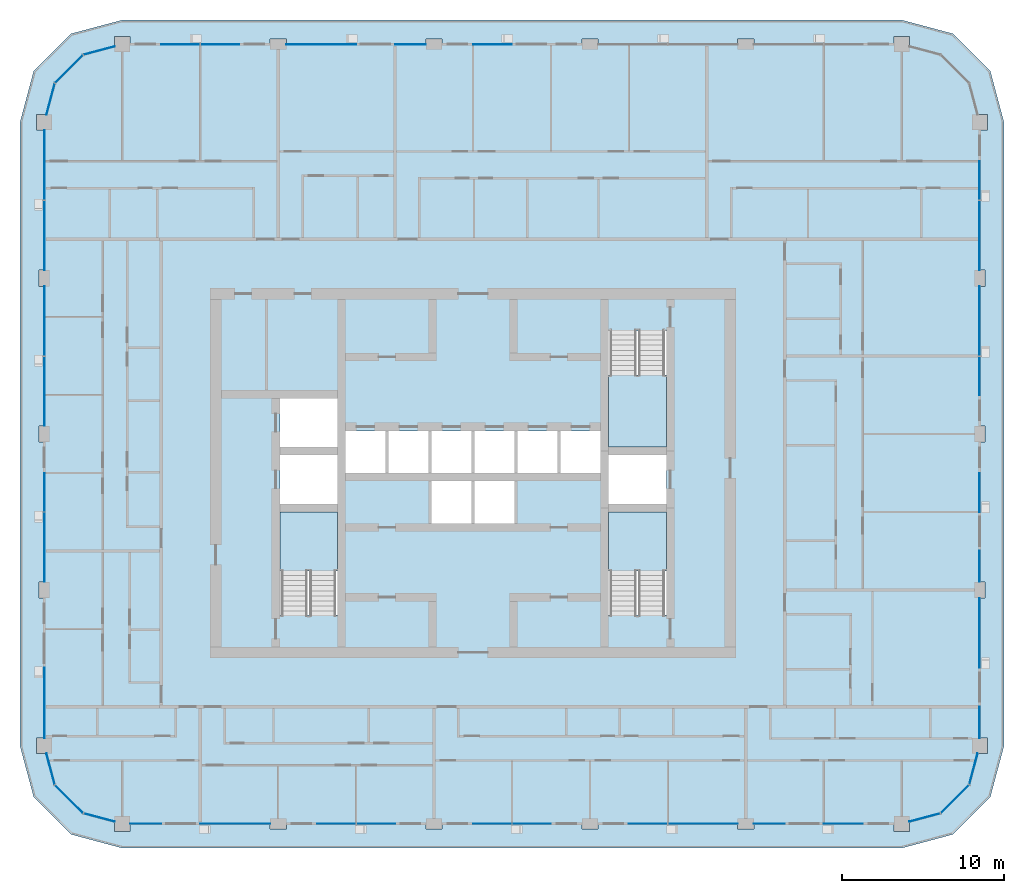
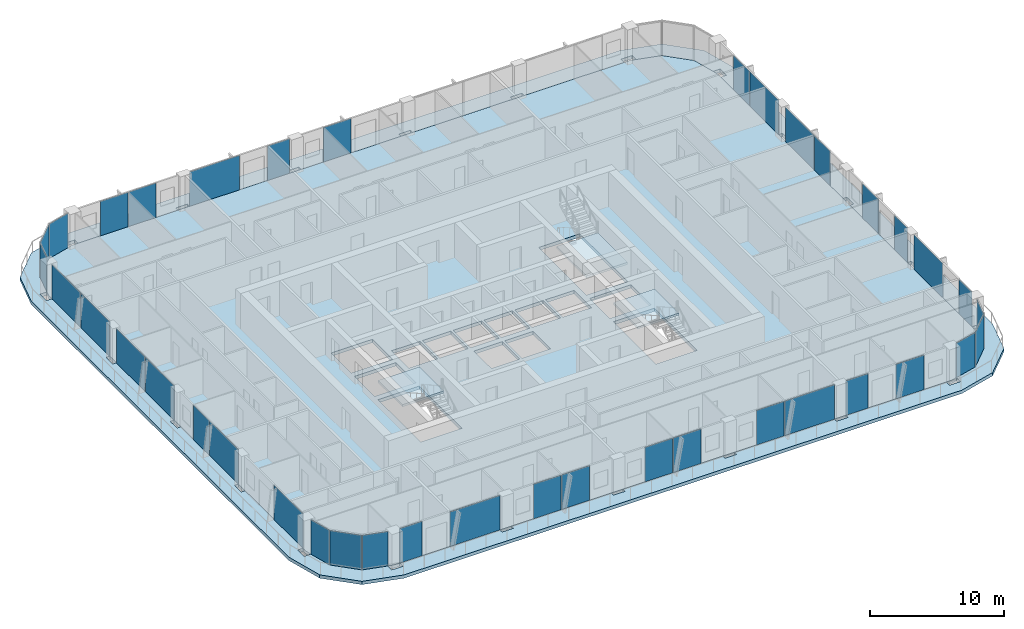
# One storey, part 7 of 23: 39 plates, 5 slabs, 22 elements without a shape of their own.
"""IFC4 building model written with IfcOpenShell, lengths in metres."""

from ifc_helpers import new_model, si_unit, direction, frame, origin, origin_2d, place, context, subcontext, project, spatial, polyline, rectangle, outline, extrude, material, layer, layer_set, type_object, element, aggregate, save


model = new_model("IFC4")

# Units and contexts
model_context = context("Model", 3, precision=1e-05, world=origin(), true_north=direction((0.0, 1.0)))
body_context = subcontext(model_context, "Body", "Model", "MODEL_VIEW")
ifc_project = project(units=[si_unit("LENGTHUNIT", "METRE"), si_unit("AREAUNIT", "SQUARE_METRE"), si_unit("VOLUMEUNIT", "CUBIC_METRE"), si_unit("PLANEANGLEUNIT", "RADIAN"), si_unit("MASSUNIT", "GRAM", prefix="KILO")], contexts=[model_context])

# Site, building, storey
site_placement = place(None, origin())
site = spatial("IfcSite", under=ifc_project, at=site_placement, CompositionType="ELEMENT")
building_placement = place(site_placement, origin())
building = spatial("IfcBuilding", under=site, at=building_placement, Name="Madar Terraces", CompositionType="ELEMENT")
storey_placement = place(building_placement, frame((0.0, 0.0, 219.300048828125)))
storey = spatial("IfcBuildingStorey", under=building, at=storey_placement, Name="L57", CompositionType="ELEMENT", Elevation=219.300048828125)

# Slabs
ifc_material_1 = material(Name="Concrete C50/60", Category="concrete")
ifc_layer_1 = layer(ifc_material_1, 0.300048828125)
ifc_layer_set_1 = layer_set([ifc_layer_1], Name="Balcony band 300")
slab_type_1 = type_object("IfcSlabType", Name="Balcony band 300", PredefinedType="FLOOR", material=ifc_layer_set_1)
slab_1_placement = place(storey_placement, frame((0.0, 0.0, -0.300048828125)))
element("IfcSlab", 1, at=slab_1_placement, inside=storey, type_object=slab_type_1, Name="Balcony band", PredefinedType="FLOOR", context=body_context, shape_type="SweptSolid", body=[
    extrude(outline(polyline([(9.60009765625, 3.300048828125), (6.449951171875, 4.14404296875), (4.14404296875, 6.449951171875), (3.300048828125, 9.60009765625), (3.300048828125, 48.0), (4.14404296875, 51.14990234375), (6.449951171875, 53.4560546875), (9.60009765625, 54.300048828125), (57.60009765625, 54.300048828125), (60.75, 53.4560546875), (63.055908203125, 51.14990234375), (63.89990234375, 48.0), (63.89990234375, 9.60009765625), (63.055908203125, 6.449951171875), (60.75, 4.14404296875), (57.60009765625, 3.300048828125), (9.60009765625, 3.300048828125)]), holes=[polyline([(10.074951171875, 4.324951171875), (10.074951171875, 4.800048828125), (18.699951171875, 4.800048828125), (18.699951171875, 4.47509765625), (19.699951171875, 4.47509765625), (19.699951171875, 4.800048828125), (28.300048828125, 4.800048828125), (28.300048828125, 4.47509765625), (29.300048828125, 4.47509765625), (29.300048828125, 4.800048828125), (37.89990234375, 4.800048828125), (37.89990234375, 4.47509765625), (38.89990234375, 4.47509765625), (38.89990234375, 4.800048828125), (47.5, 4.800048828125), (47.5, 4.47509765625), (48.5, 4.47509765625), (48.5, 4.800048828125), (57.125, 4.800048828125), (57.125, 4.324951171875), (58.074951171875, 4.324951171875), (58.074951171875, 4.92724609375), (60.0, 5.443115234375), (61.7568359375, 7.199951171875), (62.272705078125, 9.125), (62.875, 9.125), (62.875, 10.074951171875), (62.39990234375, 10.074951171875), (62.39990234375, 18.699951171875), (62.72509765625, 18.699951171875), (62.72509765625, 19.699951171875), (62.39990234375, 19.699951171875), (62.39990234375, 28.300048828125), (62.72509765625, 28.300048828125), (62.72509765625, 29.300048828125), (62.39990234375, 29.300048828125), (62.39990234375, 37.89990234375), (62.72509765625, 37.89990234375), (62.72509765625, 38.89990234375), (62.39990234375, 38.89990234375), (62.39990234375, 47.52490234375), (62.875, 47.52490234375), (62.875, 48.47509765625), (62.272705078125, 48.47509765625), (61.7568359375, 50.39990234375), (60.0, 52.156982421875), (58.074951171875, 52.672607421875), (58.074951171875, 53.27490234375), (57.125, 53.27490234375), (57.125, 52.800048828125), (48.5, 52.800048828125), (48.5, 53.125), (47.5, 53.125), (47.5, 52.800048828125), (38.89990234375, 52.800048828125), (38.89990234375, 53.125), (37.89990234375, 53.125), (37.89990234375, 52.800048828125), (29.300048828125, 52.800048828125), (29.300048828125, 53.125), (28.300048828125, 53.125), (28.300048828125, 52.800048828125), (19.699951171875, 52.800048828125), (19.699951171875, 53.125), (18.699951171875, 53.125), (18.699951171875, 52.800048828125), (10.074951171875, 52.800048828125), (10.074951171875, 53.27490234375), (9.125, 53.27490234375), (9.125, 52.672607421875), (7.199951171875, 52.156982421875), (5.443115234375, 50.39990234375), (4.92724609375, 48.47509765625), (4.324951171875, 48.47509765625), (4.324951171875, 47.52490234375), (4.800048828125, 47.52490234375), (4.800048828125, 38.89990234375), (4.47509765625, 38.89990234375), (4.47509765625, 37.89990234375), (4.800048828125, 37.89990234375), (4.800048828125, 29.300048828125), (4.47509765625, 29.300048828125), (4.47509765625, 28.300048828125), (4.800048828125, 28.300048828125), (4.800048828125, 19.699951171875), (4.47509765625, 19.699951171875), (4.47509765625, 18.699951171875), (4.800048828125, 18.699951171875), (4.800048828125, 10.074951171875), (4.324951171875, 10.074951171875), (4.324951171875, 9.125), (4.92724609375, 9.125), (5.443115234375, 7.199951171875), (7.199951171875, 5.443115234375), (9.125, 4.92724609375), (9.125, 4.324951171875), (10.074951171875, 4.324951171875)])]), origin(), (0.0, 0.0, 1.0), 0.300048828125),
])
ifc_material_2 = material(Name="Concrete C50/60", Category="concrete")
ifc_layer_2 = layer(ifc_material_2, 0.300048828125)
ifc_layer_set_2 = layer_set([ifc_layer_2], Name="FS2 PT flat slab 300")
slab_type_2 = type_object("IfcSlabType", Name="FS2 PT flat slab 300", PredefinedType="FLOOR", material=ifc_layer_set_2)
slab_2_placement = place(storey_placement, frame((0.0, 0.0, -0.300048828125)))
element("IfcSlab", 2, at=slab_2_placement, inside=storey, type_object=slab_type_2, Name="Floor slab L57 (1)", PredefinedType="FLOOR", context=body_context, shape_type="SweptSolid", body=[
    extrude(outline(polyline([(57.60009765625, 4.800048828125), (60.0, 5.443115234375), (61.7568359375, 7.199951171875), (62.39990234375, 9.60009765625), (62.39990234375, 48.0), (61.7568359375, 50.39990234375), (60.0, 52.156982421875), (57.60009765625, 52.800048828125), (9.60009765625, 52.800048828125), (7.199951171875, 52.156982421875), (5.443115234375, 50.39990234375), (4.800048828125, 48.0), (4.800048828125, 9.60009765625), (5.443115234375, 7.199951171875), (7.199951171875, 5.443115234375), (9.60009765625, 4.800048828125), (57.60009765625, 4.800048828125)]), holes=[polyline([(22.85009765625, 17.64990234375), (19.300048828125, 17.64990234375), (19.300048828125, 24.0), (22.85009765625, 24.0), (22.85009765625, 17.64990234375)]), polyline([(28.64990234375, 23.300048828125), (28.64990234375, 25.89990234375), (31.10009765625, 25.89990234375), (31.10009765625, 23.300048828125), (28.64990234375, 23.300048828125)]), polyline([(19.300048828125, 24.5), (19.300048828125, 27.5), (22.85009765625, 27.5), (22.85009765625, 24.5), (19.300048828125, 24.5)]), polyline([(23.35009765625, 26.39990234375), (23.35009765625, 29.0), (25.800048828125, 29.0), (25.800048828125, 26.39990234375), (23.35009765625, 26.39990234375)]), polyline([(26.0, 26.39990234375), (26.0, 29.0), (28.449951171875, 29.0), (28.449951171875, 26.39990234375), (26.0, 26.39990234375)]), polyline([(28.64990234375, 26.39990234375), (28.64990234375, 29.0), (31.10009765625, 29.0), (31.10009765625, 26.39990234375), (28.64990234375, 26.39990234375)]), polyline([(19.300048828125, 28.0), (19.300048828125, 31.0), (22.85009765625, 31.0), (22.85009765625, 28.0), (19.300048828125, 28.0)]), polyline([(43.10009765625, 17.64990234375), (39.550048828125, 17.64990234375), (39.550048828125, 24.0), (43.10009765625, 24.0), (43.10009765625, 17.64990234375)]), polyline([(31.300048828125, 23.300048828125), (31.300048828125, 25.89990234375), (33.75, 25.89990234375), (33.75, 23.300048828125), (31.300048828125, 23.300048828125)]), polyline([(39.550048828125, 24.5), (39.550048828125, 27.5), (43.10009765625, 27.5), (43.10009765625, 24.5), (39.550048828125, 24.5)]), polyline([(31.300048828125, 26.39990234375), (31.300048828125, 29.0), (33.75, 29.0), (33.75, 26.39990234375), (31.300048828125, 26.39990234375)]), polyline([(33.949951171875, 26.39990234375), (33.949951171875, 29.0), (36.39990234375, 29.0), (36.39990234375, 26.39990234375), (33.949951171875, 26.39990234375)]), polyline([(36.60009765625, 26.39990234375), (36.60009765625, 29.0), (39.050048828125, 29.0), (39.050048828125, 26.39990234375), (36.60009765625, 26.39990234375)]), polyline([(39.550048828125, 28.0), (39.550048828125, 35.14990234375), (43.10009765625, 35.14990234375), (43.10009765625, 28.0), (39.550048828125, 28.0)])]), origin(), (0.0, 0.0, 1.0), 0.300048828125),
])

# Curtain wall, plates
ifc_material_3 = material(Name="Glass, ceramic frit dark grey, with black aluminium frame", Category="aluminium")
ifc_layer_3 = layer(ifc_material_3, 0.199951171875)
ifc_layer_set_3 = layer_set([ifc_layer_3], Name="Facade curtain wall, fritted glass")
curtain_wall_type = type_object("IfcCurtainWallType", Name="Facade curtain wall, fritted glass", PredefinedType="NOTDEFINED", material=ifc_layer_set_3)
curtain_wall_1_placement = place(storey_placement, origin())
curtain_wall_1 = element("IfcCurtainWall", 3, at=curtain_wall_1_placement, inside=storey, type_object=curtain_wall_type, Name="Outer skin curtain wall south bay 1", PredefinedType="NOTDEFINED")
ifc_material_4 = material(Name="Glass, ceramic frit dark grey", Category="glass")
ifc_layer_4 = layer(ifc_material_4, 0.028076171875)
ifc_layer_set_4 = layer_set([ifc_layer_4], Name="Facade glass panel 28")
plate_type = type_object("IfcPlateType", Name="Facade glass panel 28", PredefinedType="CURTAIN_PANEL", material=ifc_layer_set_4)
plate_1_placement = place(storey_placement, frame((11.03759765625, 4.800048828125, 0.0), z_axis=(0.0, 0.0, 1.0), x_axis=(1.0, 0.0, 0.0)))
plate_1 = element("IfcPlate", 4, at=plate_1_placement, type_object=plate_type, Name="Panel 1", PredefinedType="CURTAIN_PANEL", context=body_context, shape_type="SweptSolid", body=[
    extrude(rectangle(XDim=1.925048828125, YDim=0.028076171875, at=origin_2d()), origin(), (0.0, 0.0, 1.0), 3.139892578125),
])
plate_2_placement = place(storey_placement, frame((16.550048828125, 4.800048828125, 0.0), z_axis=(0.0, 0.0, 1.0), x_axis=(1.0, 0.0, 0.0)))
plate_2 = element("IfcPlate", 5, at=plate_2_placement, type_object=plate_type, Name="Panel 2", PredefinedType="CURTAIN_PANEL", context=body_context, shape_type="SweptSolid", body=[
    extrude(rectangle(XDim=4.300048828125, YDim=0.028076171875, at=origin_2d()), origin(), (0.0, 0.0, 1.0), 3.139892578125),
])
aggregate(curtain_wall_1, [plate_1, plate_2])

curtain_wall_2_placement = place(storey_placement, origin())
curtain_wall_2 = element("IfcCurtainWall", 6, at=curtain_wall_2_placement, inside=storey, type_object=curtain_wall_type, Name="Outer skin curtain wall south bay 2", PredefinedType="NOTDEFINED")
plate_3_placement = place(storey_placement, frame((22.784912109375, 4.800048828125, 0.0), z_axis=(0.0, 0.0, 1.0), x_axis=(1.0, 0.0, 0.0)))
plate_3 = element("IfcPlate", 7, at=plate_3_placement, type_object=plate_type, Name="Panel 1", PredefinedType="CURTAIN_PANEL", context=body_context, shape_type="SweptSolid", body=[
    extrude(rectangle(XDim=2.3701171875, YDim=0.028076171875, at=origin_2d()), origin(), (0.0, 0.0, 1.0), 3.139892578125),
])
plate_4_placement = place(storey_placement, frame((25.215087890625, 4.800048828125, 0.0), z_axis=(0.0, 0.0, 1.0), x_axis=(1.0, 0.0, 0.0)))
plate_4 = element("IfcPlate", 8, at=plate_4_placement, type_object=plate_type, Name="Panel 2", PredefinedType="CURTAIN_PANEL", context=body_context, shape_type="SweptSolid", body=[
    extrude(rectangle(XDim=2.3701171875, YDim=0.028076171875, at=origin_2d()), origin(), (0.0, 0.0, 1.0), 3.139892578125),
])
aggregate(curtain_wall_2, [plate_3, plate_4])

curtain_wall_3_placement = place(storey_placement, origin())
curtain_wall_3 = element("IfcCurtainWall", 9, at=curtain_wall_3_placement, inside=storey, type_object=curtain_wall_type, Name="Outer skin curtain wall south bay 3", PredefinedType="NOTDEFINED")
plate_5_placement = place(storey_placement, frame((32.385009765625, 4.800048828125, 0.0), z_axis=(0.0, 0.0, 1.0), x_axis=(1.0, 0.0, 0.0)))
plate_5 = element("IfcPlate", 10, at=plate_5_placement, type_object=plate_type, Name="Panel 1", PredefinedType="CURTAIN_PANEL", context=body_context, shape_type="SweptSolid", body=[
    extrude(rectangle(XDim=2.3701171875, YDim=0.028076171875, at=origin_2d()), origin(), (0.0, 0.0, 1.0), 3.139892578125),
])
plate_6_placement = place(storey_placement, frame((34.81494140625, 4.800048828125, 0.0), z_axis=(0.0, 0.0, 1.0), x_axis=(1.0, 0.0, 0.0)))
plate_6 = element("IfcPlate", 11, at=plate_6_placement, type_object=plate_type, Name="Panel 2", PredefinedType="CURTAIN_PANEL", context=body_context, shape_type="SweptSolid", body=[
    extrude(rectangle(XDim=2.3701171875, YDim=0.028076171875, at=origin_2d()), origin(), (0.0, 0.0, 1.0), 3.139892578125),
])
aggregate(curtain_wall_3, [plate_5, plate_6])

curtain_wall_4_placement = place(storey_placement, origin())
curtain_wall_4 = element("IfcCurtainWall", 12, at=curtain_wall_4_placement, inside=storey, type_object=curtain_wall_type, Name="Outer skin curtain wall south bay 4", PredefinedType="NOTDEFINED")
plate_7_placement = place(storey_placement, frame((41.985107421875, 4.800048828125, 0.0), z_axis=(0.0, 0.0, 1.0), x_axis=(1.0, 0.0, 0.0)))
plate_7 = element("IfcPlate", 13, at=plate_7_placement, type_object=plate_type, Name="Panel 1", PredefinedType="CURTAIN_PANEL", context=body_context, shape_type="SweptSolid", body=[
    extrude(rectangle(XDim=2.3701171875, YDim=0.028076171875, at=origin_2d()), origin(), (0.0, 0.0, 1.0), 3.139892578125),
])
plate_8_placement = place(storey_placement, frame((45.364990234375, 4.800048828125, 0.0), z_axis=(0.0, 0.0, 1.0), x_axis=(1.0, 0.0, 0.0)))
plate_8 = element("IfcPlate", 14, at=plate_8_placement, type_object=plate_type, Name="Panel 2", PredefinedType="CURTAIN_PANEL", context=body_context, shape_type="SweptSolid", body=[
    extrude(rectangle(XDim=4.27001953125, YDim=0.028076171875, at=origin_2d()), origin(), (0.0, 0.0, 1.0), 3.139892578125),
])
aggregate(curtain_wall_4, [plate_7, plate_8])

curtain_wall_5_placement = place(storey_placement, origin())
curtain_wall_5 = element("IfcCurtainWall", 15, at=curtain_wall_5_placement, inside=storey, type_object=curtain_wall_type, Name="Outer skin curtain wall south bay 5", PredefinedType="NOTDEFINED")
plate_9_placement = place(storey_placement, frame((49.449951171875, 4.800048828125, 0.0), z_axis=(0.0, 0.0, 1.0), x_axis=(1.0, 0.0, 0.0)))
plate_9 = element("IfcPlate", 16, at=plate_9_placement, type_object=plate_type, Name="Panel 1", PredefinedType="CURTAIN_PANEL", context=body_context, shape_type="SweptSolid", body=[
    extrude(rectangle(XDim=1.89990234375, YDim=0.028076171875, at=origin_2d()), origin(), (0.0, 0.0, 1.0), 3.139892578125),
])
plate_10_placement = place(storey_placement, frame((54.0, 4.800048828125, 0.0), z_axis=(0.0, 0.0, 1.0), x_axis=(1.0, 0.0, 0.0)))
plate_10 = element("IfcPlate", 17, at=plate_10_placement, type_object=plate_type, Name="Panel 2", PredefinedType="CURTAIN_PANEL", context=body_context, shape_type="SweptSolid", body=[
    extrude(rectangle(XDim=2.39990234375, YDim=0.028076171875, at=origin_2d()), origin(), (0.0, 0.0, 1.0), 3.139892578125),
])
aggregate(curtain_wall_5, [plate_9, plate_10])

curtain_wall_6_placement = place(storey_placement, origin())
curtain_wall_6 = element("IfcCurtainWall", 18, at=curtain_wall_6_placement, inside=storey, type_object=curtain_wall_type, Name="Outer skin curtain wall east bay 1", PredefinedType="NOTDEFINED")
plate_11_placement = place(storey_placement, frame((62.39990234375, 11.03759765625, 0.0), z_axis=(0.0, 0.0, 1.0), x_axis=(0.0, 1.0, 0.0)))
plate_11 = element("IfcPlate", 19, at=plate_11_placement, type_object=plate_type, Name="Panel 1", PredefinedType="CURTAIN_PANEL", context=body_context, shape_type="SweptSolid", body=[
    extrude(rectangle(XDim=1.925048828125, YDim=0.028076171875, at=origin_2d()), origin(), (0.0, 0.0, 1.0), 3.139892578125),
])
plate_12_placement = place(storey_placement, frame((62.39990234375, 16.550048828125, 0.0), z_axis=(0.0, 0.0, 1.0), x_axis=(0.0, 1.0, 0.0)))
plate_12 = element("IfcPlate", 20, at=plate_12_placement, type_object=plate_type, Name="Panel 2", PredefinedType="CURTAIN_PANEL", context=body_context, shape_type="SweptSolid", body=[
    extrude(rectangle(XDim=4.300048828125, YDim=0.028076171875, at=origin_2d()), origin(), (0.0, 0.0, 1.0), 3.139892578125),
])
aggregate(curtain_wall_6, [plate_11, plate_12])

curtain_wall_7_placement = place(storey_placement, origin())
curtain_wall_7 = element("IfcCurtainWall", 21, at=curtain_wall_7_placement, inside=storey, type_object=curtain_wall_type, Name="Outer skin curtain wall east bay 2", PredefinedType="NOTDEFINED")
plate_13_placement = place(storey_placement, frame((62.39990234375, 20.64990234375, 0.0), z_axis=(0.0, 0.0, 1.0), x_axis=(0.0, 1.0, 0.0)))
plate_13 = element("IfcPlate", 22, at=plate_13_placement, type_object=plate_type, Name="Panel 1", PredefinedType="CURTAIN_PANEL", context=body_context, shape_type="SweptSolid", body=[
    extrude(rectangle(XDim=1.89990234375, YDim=0.028076171875, at=origin_2d()), origin(), (0.0, 0.0, 1.0), 3.139892578125),
])
plate_14_placement = place(storey_placement, frame((62.39990234375, 25.199951171875, 0.0), z_axis=(0.0, 0.0, 1.0), x_axis=(0.0, 1.0, 0.0)))
plate_14 = element("IfcPlate", 23, at=plate_14_placement, type_object=plate_type, Name="Panel 2", PredefinedType="CURTAIN_PANEL", context=body_context, shape_type="SweptSolid", body=[
    extrude(rectangle(XDim=2.39990234375, YDim=0.028076171875, at=origin_2d()), origin(), (0.0, 0.0, 1.0), 3.139892578125),
])
aggregate(curtain_wall_7, [plate_13, plate_14])

curtain_wall_8_placement = place(storey_placement, origin())
curtain_wall_8 = element("IfcCurtainWall", 24, at=curtain_wall_8_placement, inside=storey, type_object=curtain_wall_type, Name="Outer skin curtain wall east bay 3", PredefinedType="NOTDEFINED")
plate_15_placement = place(storey_placement, frame((62.39990234375, 32.385009765625, 0.0), z_axis=(0.0, 0.0, 1.0), x_axis=(0.0, 1.0, 0.0)))
plate_15 = element("IfcPlate", 25, at=plate_15_placement, type_object=plate_type, Name="Panel 1", PredefinedType="CURTAIN_PANEL", context=body_context, shape_type="SweptSolid", body=[
    extrude(rectangle(XDim=2.3701171875, YDim=0.028076171875, at=origin_2d()), origin(), (0.0, 0.0, 1.0), 3.139892578125),
])
plate_16_placement = place(storey_placement, frame((62.39990234375, 35.764892578125, 0.0), z_axis=(0.0, 0.0, 1.0), x_axis=(0.0, 1.0, 0.0)))
plate_16 = element("IfcPlate", 26, at=plate_16_placement, type_object=plate_type, Name="Panel 2", PredefinedType="CURTAIN_PANEL", context=body_context, shape_type="SweptSolid", body=[
    extrude(rectangle(XDim=4.27001953125, YDim=0.028076171875, at=origin_2d()), origin(), (0.0, 0.0, 1.0), 3.139892578125),
])
aggregate(curtain_wall_8, [plate_15, plate_16])

curtain_wall_9_placement = place(storey_placement, origin())
curtain_wall_9 = element("IfcCurtainWall", 27, at=curtain_wall_9_placement, inside=storey, type_object=curtain_wall_type, Name="Outer skin curtain wall east bay 4", PredefinedType="NOTDEFINED")
plate_17_placement = place(storey_placement, frame((62.39990234375, 41.034912109375, 0.0), z_axis=(0.0, 0.0, 1.0), x_axis=(0.0, 1.0, 0.0)))
plate_17 = element("IfcPlate", 28, at=plate_17_placement, type_object=plate_type, Name="Panel 1", PredefinedType="CURTAIN_PANEL", context=body_context, shape_type="SweptSolid", body=[
    extrude(rectangle(XDim=4.27001953125, YDim=0.028076171875, at=origin_2d()), origin(), (0.0, 0.0, 1.0), 3.139892578125),
])
plate_18_placement = place(storey_placement, frame((62.39990234375, 44.4150390625, 0.0), z_axis=(0.0, 0.0, 1.0), x_axis=(0.0, 1.0, 0.0)))
plate_18 = element("IfcPlate", 29, at=plate_18_placement, type_object=plate_type, Name="Panel 2", PredefinedType="CURTAIN_PANEL", context=body_context, shape_type="SweptSolid", body=[
    extrude(rectangle(XDim=2.3701171875, YDim=0.028076171875, at=origin_2d()), origin(), (0.0, 0.0, 1.0), 3.139892578125),
])
aggregate(curtain_wall_9, [plate_17, plate_18])

# Curtain wall, plate
curtain_wall_10_placement = place(storey_placement, origin())
curtain_wall_10 = element("IfcCurtainWall", 30, at=curtain_wall_10_placement, inside=storey, type_object=curtain_wall_type, Name="Outer skin curtain wall north bay 3", PredefinedType="NOTDEFINED")
plate_19_placement = place(storey_placement, frame((32.39990234375, 52.800048828125, 0.0), z_axis=(0.0, 0.0, 1.0), x_axis=(-1.0, 0.0, 0.0)))
plate_19 = element("IfcPlate", 31, at=plate_19_placement, type_object=plate_type, Name="Panel 1", PredefinedType="CURTAIN_PANEL", context=body_context, shape_type="SweptSolid", body=[
    extrude(rectangle(XDim=2.39990234375, YDim=0.028076171875, at=origin_2d()), origin(), (0.0, 0.0, 1.0), 3.139892578125),
])
aggregate(curtain_wall_10, [plate_19])

# Curtain wall, plates
curtain_wall_11_placement = place(storey_placement, origin())
curtain_wall_11 = element("IfcCurtainWall", 32, at=curtain_wall_11_placement, inside=storey, type_object=curtain_wall_type, Name="Outer skin curtain wall north bay 4", PredefinedType="NOTDEFINED")
plate_20_placement = place(storey_placement, frame((27.35009765625, 52.800048828125, 0.0), z_axis=(0.0, 0.0, 1.0), x_axis=(-1.0, 0.0, 0.0)))
plate_20 = element("IfcPlate", 33, at=plate_20_placement, type_object=plate_type, Name="Panel 1", PredefinedType="CURTAIN_PANEL", context=body_context, shape_type="SweptSolid", body=[
    extrude(rectangle(XDim=1.89990234375, YDim=0.028076171875, at=origin_2d()), origin(), (0.0, 0.0, 1.0), 3.139892578125),
])
plate_21_placement = place(storey_placement, frame((21.85009765625, 52.800048828125, 0.0), z_axis=(0.0, 0.0, 1.0), x_axis=(-1.0, 0.0, 0.0)))
plate_21 = element("IfcPlate", 34, at=plate_21_placement, type_object=plate_type, Name="Panel 2", PredefinedType="CURTAIN_PANEL", context=body_context, shape_type="SweptSolid", body=[
    extrude(rectangle(XDim=4.300048828125, YDim=0.028076171875, at=origin_2d()), origin(), (0.0, 0.0, 1.0), 3.139892578125),
])
aggregate(curtain_wall_11, [plate_20, plate_21])

curtain_wall_12_placement = place(storey_placement, origin())
curtain_wall_12 = element("IfcCurtainWall", 35, at=curtain_wall_12_placement, inside=storey, type_object=curtain_wall_type, Name="Outer skin curtain wall north bay 5", PredefinedType="NOTDEFINED")
plate_22_placement = place(storey_placement, frame((15.614990234375, 52.800048828125, 0.0), z_axis=(0.0, 0.0, 1.0), x_axis=(-1.0, 0.0, 0.0)))
plate_22 = element("IfcPlate", 36, at=plate_22_placement, type_object=plate_type, Name="Panel 1", PredefinedType="CURTAIN_PANEL", context=body_context, shape_type="SweptSolid", body=[
    extrude(rectangle(XDim=2.3701171875, YDim=0.028076171875, at=origin_2d()), origin(), (0.0, 0.0, 1.0), 3.139892578125),
])
plate_23_placement = place(storey_placement, frame((13.18505859375, 52.800048828125, 0.0), z_axis=(0.0, 0.0, 1.0), x_axis=(-1.0, 0.0, 0.0)))
plate_23 = element("IfcPlate", 37, at=plate_23_placement, type_object=plate_type, Name="Panel 2", PredefinedType="CURTAIN_PANEL", context=body_context, shape_type="SweptSolid", body=[
    extrude(rectangle(XDim=2.3701171875, YDim=0.028076171875, at=origin_2d()), origin(), (0.0, 0.0, 1.0), 3.139892578125),
])
aggregate(curtain_wall_12, [plate_22, plate_23])

curtain_wall_13_placement = place(storey_placement, origin())
curtain_wall_13 = element("IfcCurtainWall", 38, at=curtain_wall_13_placement, inside=storey, type_object=curtain_wall_type, Name="Outer skin curtain wall west bay 1", PredefinedType="NOTDEFINED")
plate_24_placement = place(storey_placement, frame((4.800048828125, 45.37744140625, 0.0), z_axis=(0.0, 0.0, 1.0), x_axis=(0.0, -1.0, 0.0)))
plate_24 = element("IfcPlate", 39, at=plate_24_placement, type_object=plate_type, Name="Panel 1", PredefinedType="CURTAIN_PANEL", context=body_context, shape_type="SweptSolid", body=[
    extrude(rectangle(XDim=4.294921875, YDim=0.028076171875, at=origin_2d()), origin(), (0.0, 0.0, 1.0), 3.139892578125),
])
plate_25_placement = place(storey_placement, frame((4.800048828125, 41.034912109375, 0.0), z_axis=(0.0, 0.0, 1.0), x_axis=(0.0, -1.0, 0.0)))
plate_25 = element("IfcPlate", 40, at=plate_25_placement, type_object=plate_type, Name="Panel 2", PredefinedType="CURTAIN_PANEL", context=body_context, shape_type="SweptSolid", body=[
    extrude(rectangle(XDim=4.27001953125, YDim=0.028076171875, at=origin_2d()), origin(), (0.0, 0.0, 1.0), 3.139892578125),
])
aggregate(curtain_wall_13, [plate_24, plate_25])

curtain_wall_14_placement = place(storey_placement, origin())
curtain_wall_14 = element("IfcCurtainWall", 41, at=curtain_wall_14_placement, inside=storey, type_object=curtain_wall_type, Name="Outer skin curtain wall west bay 2", PredefinedType="NOTDEFINED")
plate_26_placement = place(storey_placement, frame((4.800048828125, 35.764892578125, 0.0), z_axis=(0.0, 0.0, 1.0), x_axis=(0.0, -1.0, 0.0)))
plate_26 = element("IfcPlate", 42, at=plate_26_placement, type_object=plate_type, Name="Panel 1", PredefinedType="CURTAIN_PANEL", context=body_context, shape_type="SweptSolid", body=[
    extrude(rectangle(XDim=4.27001953125, YDim=0.028076171875, at=origin_2d()), origin(), (0.0, 0.0, 1.0), 3.139892578125),
])
plate_27_placement = place(storey_placement, frame((4.800048828125, 31.43505859375, 0.0), z_axis=(0.0, 0.0, 1.0), x_axis=(0.0, -1.0, 0.0)))
plate_27 = element("IfcPlate", 43, at=plate_27_placement, type_object=plate_type, Name="Panel 2", PredefinedType="CURTAIN_PANEL", context=body_context, shape_type="SweptSolid", body=[
    extrude(rectangle(XDim=4.27001953125, YDim=0.028076171875, at=origin_2d()), origin(), (0.0, 0.0, 1.0), 3.139892578125),
])
aggregate(curtain_wall_14, [plate_26, plate_27])

curtain_wall_15_placement = place(storey_placement, origin())
curtain_wall_15 = element("IfcCurtainWall", 44, at=curtain_wall_15_placement, inside=storey, type_object=curtain_wall_type, Name="Outer skin curtain wall west bay 3", PredefinedType="NOTDEFINED")
plate_28_placement = place(storey_placement, frame((4.800048828125, 25.215087890625, 0.0), z_axis=(0.0, 0.0, 1.0), x_axis=(0.0, -1.0, 0.0)))
plate_28 = element("IfcPlate", 45, at=plate_28_placement, type_object=plate_type, Name="Panel 1", PredefinedType="CURTAIN_PANEL", context=body_context, shape_type="SweptSolid", body=[
    extrude(rectangle(XDim=2.3701171875, YDim=0.028076171875, at=origin_2d()), origin(), (0.0, 0.0, 1.0), 3.139892578125),
])
plate_29_placement = place(storey_placement, frame((4.800048828125, 21.8349609375, 0.0), z_axis=(0.0, 0.0, 1.0), x_axis=(0.0, -1.0, 0.0)))
plate_29 = element("IfcPlate", 46, at=plate_29_placement, type_object=plate_type, Name="Panel 2", PredefinedType="CURTAIN_PANEL", context=body_context, shape_type="SweptSolid", body=[
    extrude(rectangle(XDim=4.27001953125, YDim=0.028076171875, at=origin_2d()), origin(), (0.0, 0.0, 1.0), 3.139892578125),
])
aggregate(curtain_wall_15, [plate_28, plate_29])

# Curtain wall, plate
curtain_wall_16_placement = place(storey_placement, origin())
curtain_wall_16 = element("IfcCurtainWall", 47, at=curtain_wall_16_placement, inside=storey, type_object=curtain_wall_type, Name="Outer skin curtain wall west bay 4", PredefinedType="NOTDEFINED")
plate_30_placement = place(storey_placement, frame((4.800048828125, 12.237548828125, 0.0), z_axis=(0.0, 0.0, 1.0), x_axis=(0.0, -1.0, 0.0)))
plate_30 = element("IfcPlate", 48, at=plate_30_placement, type_object=plate_type, Name="Panel 1", PredefinedType="CURTAIN_PANEL", context=body_context, shape_type="SweptSolid", body=[
    extrude(rectangle(XDim=4.324951171875, YDim=0.028076171875, at=origin_2d()), origin(), (0.0, 0.0, 1.0), 3.139892578125),
])
aggregate(curtain_wall_16, [plate_30])

# Curtain wall, plates
curtain_wall_17_placement = place(storey_placement, origin())
curtain_wall_17 = element("IfcCurtainWall", 49, at=curtain_wall_17_placement, inside=storey, type_object=curtain_wall_type, Name="Outer skin curtain wall south-east corner", PredefinedType="NOTDEFINED")
plate_31_placement = place(storey_placement, frame((59.02294921875, 5.181396484375, 0.0), z_axis=(0.0, 0.0, 1.0), x_axis=(0.965925832509, 0.258819021888, 0.0)))
plate_31 = element("IfcPlate", 50, at=plate_31_placement, type_object=plate_type, Name="Panel 1", PredefinedType="CURTAIN_PANEL", context=body_context, shape_type="SweptSolid", body=[
    extrude(rectangle(XDim=1.962890625, YDim=0.028076171875, at=origin_2d()), origin(), (0.0, 0.0, 1.0), 3.139892578125),
])
plate_32_placement = place(storey_placement, frame((60.87841796875, 6.321533203125, 0.0), z_axis=(0.0, 0.0, 1.0), x_axis=(0.707106781187, 0.707106781187, 0.0)))
plate_32 = element("IfcPlate", 51, at=plate_32_placement, type_object=plate_type, Name="Panel 2", PredefinedType="CURTAIN_PANEL", context=body_context, shape_type="SweptSolid", body=[
    extrude(rectangle(XDim=2.424560546875, YDim=0.028076171875, at=origin_2d()), origin(), (0.0, 0.0, 1.0), 3.139892578125),
])
plate_33_placement = place(storey_placement, frame((62.018798828125, 8.177001953125, 0.0), z_axis=(0.0, 0.0, 1.0), x_axis=(0.258819021888, 0.965925832509, 0.0)))
plate_33 = element("IfcPlate", 52, at=plate_33_placement, type_object=plate_type, Name="Panel 3", PredefinedType="CURTAIN_PANEL", context=body_context, shape_type="SweptSolid", body=[
    extrude(rectangle(XDim=1.962890625, YDim=0.028076171875, at=origin_2d()), origin(), (0.0, 0.0, 1.0), 3.139892578125),
])
aggregate(curtain_wall_17, [plate_31, plate_32, plate_33])

curtain_wall_18_placement = place(storey_placement, origin())
curtain_wall_18 = element("IfcCurtainWall", 53, at=curtain_wall_18_placement, inside=storey, type_object=curtain_wall_type, Name="Outer skin curtain wall north-west corner", PredefinedType="NOTDEFINED")
plate_34_placement = place(storey_placement, frame((8.177001953125, 52.418701171875, 0.0), z_axis=(0.0, 0.0, 1.0), x_axis=(-0.965925832509, -0.258819021888, 0.0)))
plate_34 = element("IfcPlate", 54, at=plate_34_placement, type_object=plate_type, Name="Panel 1", PredefinedType="CURTAIN_PANEL", context=body_context, shape_type="SweptSolid", body=[
    extrude(rectangle(XDim=1.962890625, YDim=0.028076171875, at=origin_2d()), origin(), (0.0, 0.0, 1.0), 3.139892578125),
])
plate_35_placement = place(storey_placement, frame((6.321533203125, 51.278564453125, 0.0), z_axis=(0.0, 0.0, 1.0), x_axis=(-0.707106781187, -0.707106781187, 0.0)))
plate_35 = element("IfcPlate", 55, at=plate_35_placement, type_object=plate_type, Name="Panel 2", PredefinedType="CURTAIN_PANEL", context=body_context, shape_type="SweptSolid", body=[
    extrude(rectangle(XDim=2.424560546875, YDim=0.028076171875, at=origin_2d()), origin(), (0.0, 0.0, 1.0), 3.139892578125),
])
plate_36_placement = place(storey_placement, frame((5.181396484375, 49.423095703125, 0.0), z_axis=(0.0, 0.0, 1.0), x_axis=(-0.258819021888, -0.965925832509, 0.0)))
plate_36 = element("IfcPlate", 56, at=plate_36_placement, type_object=plate_type, Name="Panel 3", PredefinedType="CURTAIN_PANEL", context=body_context, shape_type="SweptSolid", body=[
    extrude(rectangle(XDim=1.962890625, YDim=0.028076171875, at=origin_2d()), origin(), (0.0, 0.0, 1.0), 3.139892578125),
])
aggregate(curtain_wall_18, [plate_34, plate_35, plate_36])

curtain_wall_19_placement = place(storey_placement, origin())
curtain_wall_19 = element("IfcCurtainWall", 57, at=curtain_wall_19_placement, inside=storey, type_object=curtain_wall_type, Name="Outer skin curtain wall south-west corner", PredefinedType="NOTDEFINED")
plate_37_placement = place(storey_placement, frame((5.181396484375, 8.177001953125, 0.0), z_axis=(0.0, 0.0, 1.0), x_axis=(0.258819021888, -0.965925832509, 0.0)))
plate_37 = element("IfcPlate", 58, at=plate_37_placement, type_object=plate_type, Name="Panel 1", PredefinedType="CURTAIN_PANEL", context=body_context, shape_type="SweptSolid", body=[
    extrude(rectangle(XDim=1.962890625, YDim=0.028076171875, at=origin_2d()), origin(), (0.0, 0.0, 1.0), 3.139892578125),
])
plate_38_placement = place(storey_placement, frame((6.321533203125, 6.321533203125, 0.0), z_axis=(0.0, 0.0, 1.0), x_axis=(0.707106781187, -0.707106781187, 0.0)))
plate_38 = element("IfcPlate", 59, at=plate_38_placement, type_object=plate_type, Name="Panel 2", PredefinedType="CURTAIN_PANEL", context=body_context, shape_type="SweptSolid", body=[
    extrude(rectangle(XDim=2.424560546875, YDim=0.028076171875, at=origin_2d()), origin(), (0.0, 0.0, 1.0), 3.139892578125),
])
plate_39_placement = place(storey_placement, frame((8.177001953125, 5.181396484375, 0.0), z_axis=(0.0, 0.0, 1.0), x_axis=(0.965925832509, -0.258819021888, 0.0)))
plate_39 = element("IfcPlate", 60, at=plate_39_placement, type_object=plate_type, Name="Panel 3", PredefinedType="CURTAIN_PANEL", context=body_context, shape_type="SweptSolid", body=[
    extrude(rectangle(XDim=1.962890625, YDim=0.028076171875, at=origin_2d()), origin(), (0.0, 0.0, 1.0), 3.139892578125),
])
aggregate(curtain_wall_19, [plate_37, plate_38, plate_39])

# Stair, slab
ifc_material_5 = material(Name="Concrete C50/60", Category="concrete")
stair_type_1 = type_object("IfcStairType", Name="Stair ST1 protected exit", PredefinedType="HALF_TURN_STAIR", material=ifc_material_5)
stair_1_placement = place(storey_placement, origin())
stair_1 = element("IfcStair", 61, at=stair_1_placement, inside=storey, type_object=stair_type_1, Name="L57 Protected Exit Stair ST1", PredefinedType="HALF_TURN_STAIR")
ifc_material_6 = material(Name="Concrete C50/60", Category="concrete")
ifc_layer_5 = layer(ifc_material_6, 0.199951171875)
ifc_layer_set_5 = layer_set([ifc_layer_5], Name="Stair landing 200, top +1.75")
slab_type_3 = type_object("IfcSlabType", Name="Stair landing 200, top +1.75", PredefinedType="LANDING", material=ifc_layer_set_5)
slab_3_placement = place(storey_placement, frame((0.0, 0.0, 1.550048828125)))
slab_3 = element("IfcSlab", 62, at=slab_3_placement, type_object=slab_type_3, Name="ST1 landing 1", PredefinedType="LANDING", context=body_context, shape_type="SweptSolid", body=[
    extrude(outline(polyline([(19.300048828125, 20.360107421875), (22.85009765625, 20.360107421875), (22.85009765625, 24.0), (19.300048828125, 24.0), (19.300048828125, 20.360107421875)])), origin(), (0.0, 0.0, 1.0), 0.199951171875),
])
aggregate(stair_1, [slab_3])

ifc_material_7 = material(Name="Concrete C50/60", Category="concrete")
stair_type_2 = type_object("IfcStairType", Name="Stair ST2 protected exit", PredefinedType="HALF_TURN_STAIR", material=ifc_material_7)
stair_2_placement = place(storey_placement, origin())
stair_2 = element("IfcStair", 63, at=stair_2_placement, inside=storey, type_object=stair_type_2, Name="L57 Protected Exit Stair ST2", PredefinedType="HALF_TURN_STAIR")
slab_4_placement = place(storey_placement, frame((0.0, 0.0, 1.550048828125)))
slab_4 = element("IfcSlab", 64, at=slab_4_placement, type_object=slab_type_3, Name="ST2 landing 1", PredefinedType="LANDING", context=body_context, shape_type="SweptSolid", body=[
    extrude(outline(polyline([(39.550048828125, 28.0), (43.10009765625, 28.0), (43.10009765625, 32.43994140625), (39.550048828125, 32.43994140625), (39.550048828125, 28.0)])), origin(), (0.0, 0.0, 1.0), 0.199951171875),
])
aggregate(stair_2, [slab_4])

ifc_material_8 = material(Name="Concrete C50/60", Category="concrete")
stair_type_3 = type_object("IfcStairType", Name="Stair ST3 protected exit", PredefinedType="HALF_TURN_STAIR", material=ifc_material_8)
stair_3_placement = place(storey_placement, origin())
stair_3 = element("IfcStair", 65, at=stair_3_placement, inside=storey, type_object=stair_type_3, Name="L57 Protected Exit Stair ST3", PredefinedType="HALF_TURN_STAIR")
slab_5_placement = place(storey_placement, frame((0.0, 0.0, 1.550048828125)))
slab_5 = element("IfcSlab", 66, at=slab_5_placement, type_object=slab_type_3, Name="ST3 landing 1", PredefinedType="LANDING", context=body_context, shape_type="SweptSolid", body=[
    extrude(outline(polyline([(39.550048828125, 20.360107421875), (43.10009765625, 20.360107421875), (43.10009765625, 24.0), (39.550048828125, 24.0), (39.550048828125, 20.360107421875)])), origin(), (0.0, 0.0, 1.0), 0.199951171875),
])
aggregate(stair_3, [slab_5])

save(model, "model.ifc")
